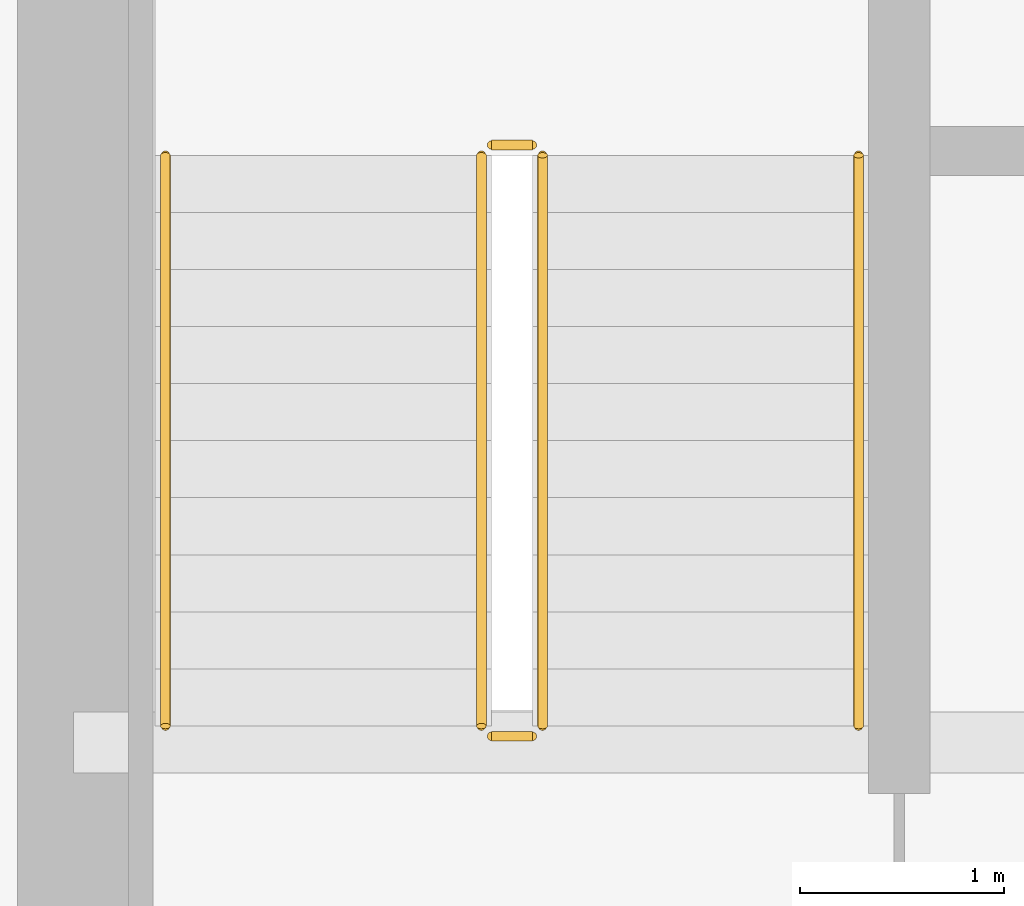
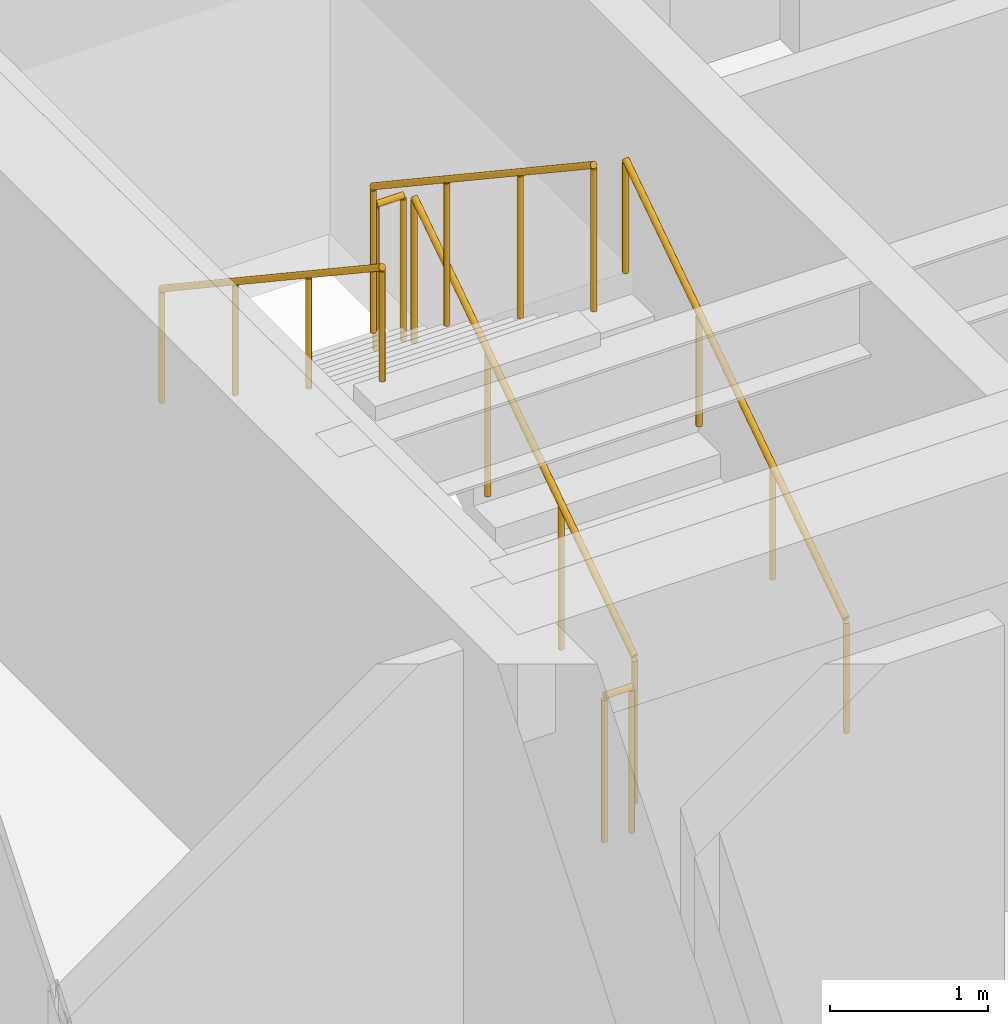
# One storey, part 32 of 33: 6 railings.
"""IFC4 building model written with IfcOpenShell, lengths in metres."""

from ifc_helpers import new_model, si_unit, direction, frame, origin, origin_2d, place, context, subcontext, project, spatial, circle, extrude, source, transform, mapped, material, type_object, type_shapes, element, save


model = new_model("IFC4")

# Units and contexts
model_context = context("Model", 3, precision=1e-05, world=origin(), true_north=direction((0.0, 1.0)))
body_context = subcontext(model_context, "Body", "Model", "MODEL_VIEW")
ifc_project = project(units=[si_unit("LENGTHUNIT", "METRE"), si_unit("AREAUNIT", "SQUARE_METRE"), si_unit("VOLUMEUNIT", "CUBIC_METRE"), si_unit("PLANEANGLEUNIT", "RADIAN"), si_unit("MASSUNIT", "GRAM", prefix="KILO")], contexts=[model_context])

# Site, building, storey
site_placement = place(None, origin())
site = spatial("IfcSite", under=ifc_project, at=site_placement, CompositionType="ELEMENT")
building_placement = place(site_placement, origin())
building = spatial("IfcBuilding", under=site, at=building_placement, Name="Haelvirn Gate Laboratories", CompositionType="ELEMENT")
storey_placement = place(building_placement, frame((0.0, 0.0, 267.0)))
storey = spatial("IfcBuildingStorey", under=building, at=storey_placement, Name="L64", CompositionType="ELEMENT", Elevation=267.0)

# Railings
ifc_material_1 = material(Name="Galvanised steel SM355 & stainless top rail", Category="steel")
railing_type_1 = type_object("IfcRailingType", Name="RL-GUARD-1150", PredefinedType="GUARDRAIL", material=ifc_material_1)
shared_shape_1 = source(origin(), body_context, "Body", "SweptSolid", [
    extrude(circle(Radius=0.02392578125, at=origin_2d()), frame((0.0, 0.0, 1.1259765625), z_axis=(-1.0, 0.0, 0.0), x_axis=(0.0, -1.0, 0.0)), (0.0, 0.0, 1.0), 0.199951171875),
    extrude(circle(Radius=0.02099609375, at=origin_2d()), origin(), (0.0, 0.0, 1.0), 1.101806640625),
    extrude(circle(Radius=0.02099609375, at=origin_2d()), frame((-0.199951171875, 0.0, 0.0)), (0.0, 0.0, 1.0), 1.101806640625),
])
for number, where, name in (
    (1, (9.64990234375, 29.550048828125, 2.050048828125), "L64 ST1 stair guard 2"),
    (2, (9.64990234375, 26.64990234375, 0.0), "L64 ST1 stair guard 4"),
):
    element("IfcRailing", number, at=place(storey_placement, frame(where)), inside=storey, type_object=railing_type_1, Name=name, PredefinedType="GUARDRAIL", context=body_context, shape_type="MappedRepresentation", body=[
        mapped(shared_shape_1, transform((0.0, 0.0, 0.0), scale=1.0)),
    ])
shared_shape_2 = source(origin(), body_context, "Body", "SweptSolid", [
    extrude(circle(Radius=0.02392578125, at=origin_2d()), frame((0.0, 0.0, 1.1259765625), z_axis=(0.0, -0.832452072856, 0.554097055034), x_axis=(1.0, 0.0, 0.0)), (0.0, 0.0, 1.0), 3.363525390625),
    extrude(circle(Radius=0.02099609375, at=origin_2d()), origin(), (0.0, 0.0, 1.0), 1.101806640625),
    extrude(circle(Radius=0.02099609375, at=origin_2d()), frame((0.0, -0.933349609375, 0.621337890625)), (0.0, 0.0, 1.0), 1.101806640625),
    extrude(circle(Radius=0.02099609375, at=origin_2d()), frame((0.0, -1.86669921875, 1.242431640625)), (0.0, 0.0, 1.0), 1.101806640625),
    extrude(circle(Radius=0.02099609375, at=origin_2d()), frame((0.0, -2.800048828125, 1.86376953125)), (0.0, 0.0, 1.0), 1.101806640625),
])
railing_1_placement = place(storey_placement, frame((9.39990234375, 29.5, 2.236328125)))
element("IfcRailing", 3, at=railing_1_placement, inside=storey, type_object=railing_type_1, Name="L64 ST1 stair guard 3", PredefinedType="GUARDRAIL", context=body_context, shape_type="MappedRepresentation", body=[
    mapped(shared_shape_2, transform((0.0, 0.0, 0.0), scale=1.0)),
])
ifc_material_2 = material(Name="Brushed stainless steel 316L", Category="steel")
railing_type_2 = type_object("IfcRailingType", Name="RL-HAND-920", PredefinedType="HANDRAIL", material=ifc_material_2)
shared_shape_3 = source(origin(), body_context, "Body", "SweptSolid", [
    extrude(circle(Radius=0.02392578125, at=origin_2d()), frame((0.0, 0.0, 0.8759765625), z_axis=(0.0, -0.832452072856, 0.554097055034), x_axis=(1.0, 0.0, 0.0)), (0.0, 0.0, 1.0), 3.363525390625),
    extrude(circle(Radius=0.02099609375, at=origin_2d()), origin(), (0.0, 0.0, 1.0), 0.851806640625),
    extrude(circle(Radius=0.02099609375, at=origin_2d()), frame((0.0, -0.933349609375, 0.621337890625)), (0.0, 0.0, 1.0), 0.851806640625),
    extrude(circle(Radius=0.02099609375, at=origin_2d()), frame((0.0, -1.86669921875, 1.242431640625)), (0.0, 0.0, 1.0), 0.851806640625),
    extrude(circle(Radius=0.02099609375, at=origin_2d()), frame((0.0, -2.800048828125, 1.86376953125)), (0.0, 0.0, 1.0), 0.851806640625),
])
railing_2_placement = place(storey_placement, frame((7.85009765625, 29.5, 2.236328125)))
element("IfcRailing", 4, at=railing_2_placement, inside=storey, type_object=railing_type_2, Name="L64 ST1 stair handrail 2", PredefinedType="HANDRAIL", context=body_context, shape_type="MappedRepresentation", body=[
    mapped(shared_shape_3, transform((0.0, 0.0, 0.0), scale=1.0)),
])
shared_shape_4 = source(origin(), body_context, "Body", "SweptSolid", [
    extrude(circle(Radius=0.02392578125, at=origin_2d()), frame((0.0, 0.0, 1.1259765625), z_axis=(0.0, 0.832452072856, 0.554097055034), x_axis=(-1.0, 0.0, 0.0)), (0.0, 0.0, 1.0), 3.363525390625),
    extrude(circle(Radius=0.02099609375, at=origin_2d()), origin(), (0.0, 0.0, 1.0), 1.101806640625),
    extrude(circle(Radius=0.02099609375, at=origin_2d()), frame((0.0, 0.933349609375, 0.621337890625)), (0.0, 0.0, 1.0), 1.101806640625),
    extrude(circle(Radius=0.02099609375, at=origin_2d()), frame((0.0, 1.86669921875, 1.242431640625)), (0.0, 0.0, 1.0), 1.101806640625),
    extrude(circle(Radius=0.02099609375, at=origin_2d()), frame((0.0, 2.800048828125, 1.86376953125)), (0.0, 0.0, 1.0), 1.101806640625),
])
type_shapes(railing_type_1, [shared_shape_1, shared_shape_2, shared_shape_4])
railing_3_placement = place(storey_placement, frame((9.699951171875, 26.699951171875, 0.186279296875)))
element("IfcRailing", 5, at=railing_3_placement, inside=storey, type_object=railing_type_1, Name="L64 ST1 stair guard 1", PredefinedType="GUARDRAIL", context=body_context, shape_type="MappedRepresentation", body=[
    mapped(shared_shape_4, transform((0.0, 0.0, 0.0), scale=1.0)),
])
shared_shape_5 = source(origin(), body_context, "Body", "SweptSolid", [
    extrude(circle(Radius=0.02392578125, at=origin_2d()), frame((0.0, 0.0, 0.8759765625), z_axis=(0.0, 0.832452072856, 0.554097055034), x_axis=(-1.0, 0.0, 0.0)), (0.0, 0.0, 1.0), 3.363525390625),
    extrude(circle(Radius=0.02099609375, at=origin_2d()), origin(), (0.0, 0.0, 1.0), 0.851806640625),
    extrude(circle(Radius=0.02099609375, at=origin_2d()), frame((0.0, 0.933349609375, 0.621337890625)), (0.0, 0.0, 1.0), 0.851806640625),
    extrude(circle(Radius=0.02099609375, at=origin_2d()), frame((0.0, 1.86669921875, 1.242431640625)), (0.0, 0.0, 1.0), 0.851806640625),
    extrude(circle(Radius=0.02099609375, at=origin_2d()), frame((0.0, 2.800048828125, 1.86376953125)), (0.0, 0.0, 1.0), 0.851806640625),
])
type_shapes(railing_type_2, [shared_shape_3, shared_shape_5])
railing_4_placement = place(storey_placement, frame((11.25, 26.699951171875, 0.186279296875)))
element("IfcRailing", 6, at=railing_4_placement, inside=storey, type_object=railing_type_2, Name="L64 ST1 stair handrail 1", PredefinedType="HANDRAIL", context=body_context, shape_type="MappedRepresentation", body=[
    mapped(shared_shape_5, transform((0.0, 0.0, 0.0), scale=1.0)),
])

save(model, "model.ifc")
